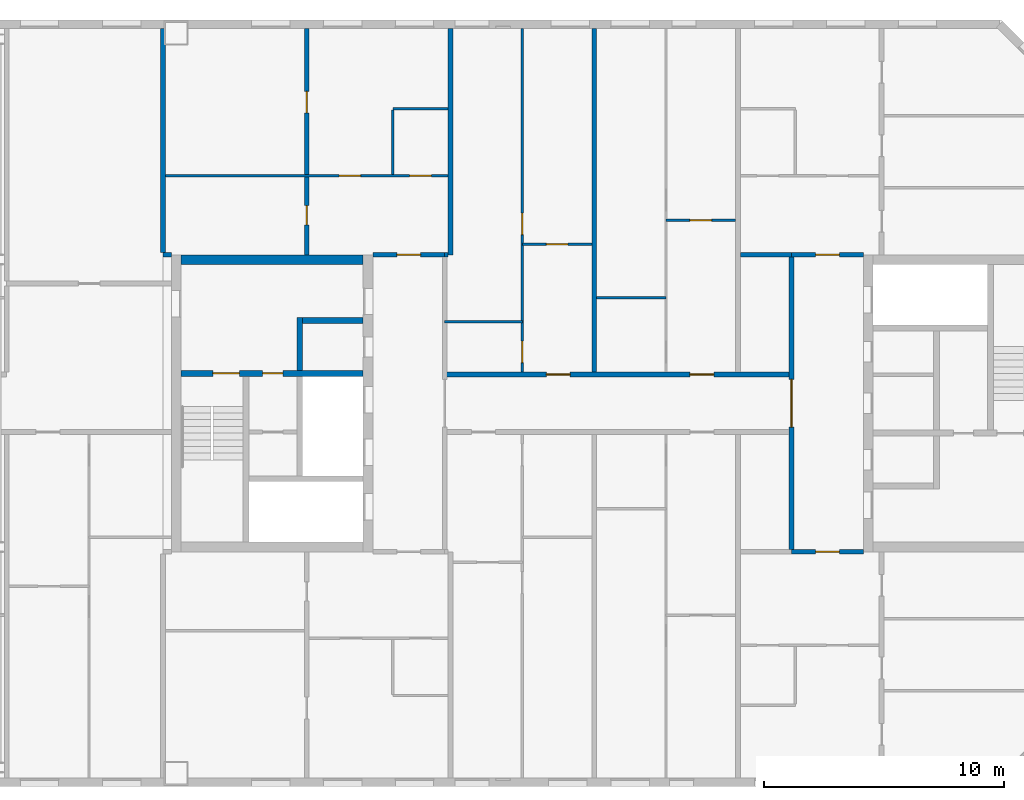
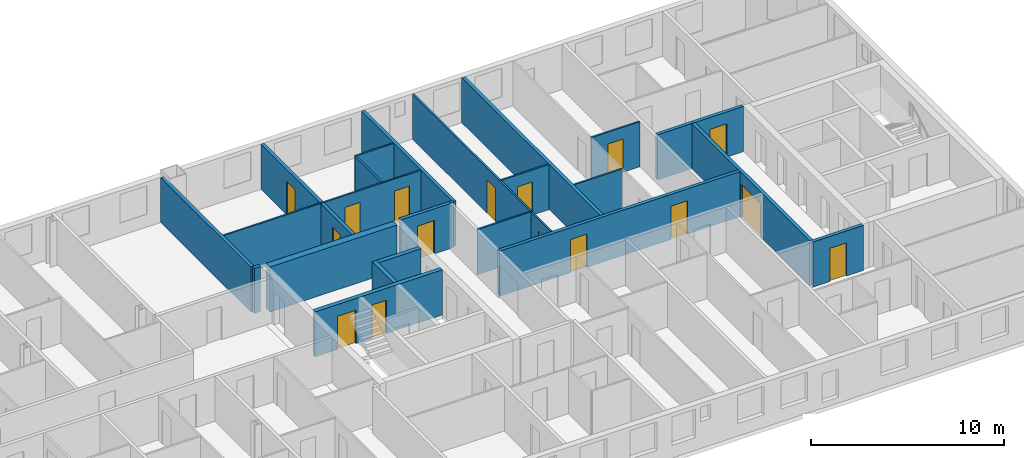
# One storey, part 15 of 19: 24 walls, 16 doors, 16 openings.
"""IFC4 building model written with IfcOpenShell, lengths in metres."""

from ifc_helpers import new_model, si_unit, direction, frame, frame_2d, origin, place, context, subcontext, project, spatial, rectangle, extrude, material, layer, layer_set, type_object, element, fill, save


model = new_model("IFC4")

# Units and contexts
model_context = context("Model", 3, precision=1e-05, world=origin(), true_north=direction((0.0, 1.0)))
body_context = subcontext(model_context, "Body", "Model", "MODEL_VIEW")
ifc_project = project(units=[si_unit("LENGTHUNIT", "METRE"), si_unit("AREAUNIT", "SQUARE_METRE"), si_unit("VOLUMEUNIT", "CUBIC_METRE"), si_unit("PLANEANGLEUNIT", "RADIAN"), si_unit("MASSUNIT", "GRAM", prefix="KILO")], contexts=[model_context])

# Site, building, storey
site_placement = place(None, origin())
site = spatial("IfcSite", under=ifc_project, at=site_placement, CompositionType="ELEMENT")
building_placement = place(site_placement, origin())
building = spatial("IfcBuilding", under=site, at=building_placement, Name="Tuart Gate Housing", CompositionType="ELEMENT")
storey_placement = place(building_placement, frame((0.0, 0.0, 227.60009765625)))
storey = spatial("IfcBuildingStorey", under=building, at=storey_placement, Name="L64", CompositionType="ELEMENT", Elevation=227.60009765625)

# Wall, openings, doors
ifc_material_1 = material(Name="Concrete C40", Category="concrete")
ifc_layer_1 = layer(ifc_material_1, 0.25)
ifc_layer_set_1 = layer_set([ifc_layer_1], Name="Core wall 250 C40")
wall_type_1 = type_object("IfcWallType", Name="Core wall 250 C40", PredefinedType="SHEAR", material=ifc_layer_set_1)
wall_1_placement = place(storey_placement, frame((139.360107421875, 71.25, 0.0), z_axis=(0.0, 0.0, 1.0), x_axis=(-1.0, 0.0, 0.0)))
wall_1 = element("IfcWall", 1, at=wall_1_placement, inside=storey, type_object=wall_type_1, Name="Core wall BG.3", PredefinedType="SHEAR", context=body_context, shape_type="SweptSolid", body=[
    extrude(rectangle(XDim=7.60009765625, YDim=0.25, at=frame_2d((3.800048828125, 0.0))), origin(), (0.0, 0.0, 1.0), 2.849853515625),
])
opening_1_placement = place(wall_1_placement, frame((5.175048828125, 0.0, 0.0)))
opening_1 = element("IfcOpeningElement", 2, at=opening_1_placement, cuts=wall_1, Name="Opening D2409", PredefinedType="OPENING", context=body_context, shape_type="SweptSolid", body=[
    extrude(rectangle(XDim=1.10009765625, YDim=2.10009765625, at=frame_2d((0.550048828125, 1.050048828125))), frame((0.0, 0.135009765625, 0.0), z_axis=(0.0, -1.0, 0.0), x_axis=(1.0, 0.0, 0.0)), (0.0, 0.0, 1.0), 0.27001953125),
])
opening_2_placement = place(wall_1_placement, frame((3.35009765625, 0.0, 0.0)))
opening_2 = element("IfcOpeningElement", 3, at=opening_2_placement, cuts=wall_1, Name="Opening D2408", PredefinedType="OPENING", context=body_context, shape_type="SweptSolid", body=[
    extrude(rectangle(XDim=0.85009765625, YDim=2.10009765625, at=frame_2d((0.425048828125, 1.050048828125))), frame((0.0, 0.135009765625, 0.0), z_axis=(0.0, -1.0, 0.0), x_axis=(1.0, 0.0, 0.0)), (0.0, 0.0, 1.0), 0.27001953125),
])
ifc_material_2 = material(Name="Steel fire door", Category="steel")
door_type_1 = type_object("IfcDoorType", Name="Riser door 850 x 2100", OperationType="SINGLE_SWING_LEFT", PredefinedType="DOOR", material=ifc_material_2)
door_1_placement = place(opening_2_placement, origin())
door_1 = element("IfcDoor", 4, at=door_1_placement, inside=storey, type_object=door_type_1, Name="Service room door BG.W1", OperationType="SINGLE_SWING_LEFT", OverallHeight=2.10009765625, OverallWidth=0.85009765625, PredefinedType="DOOR", context=body_context, shape_type="SweptSolid", body=[
    extrude(rectangle(XDim=0.85009765625, YDim=2.10009765625, at=frame_2d((0.425048828125, 1.050048828125))), frame((0.0, 0.02490234375, 0.0), z_axis=(0.0, -1.0, 0.0), x_axis=(1.0, 0.0, 0.0)), (0.0, 0.0, 1.0), 0.050048828125),
])
fill(opening_2, door_1)
ifc_material_3 = material(Name="Steel fire door", Category="steel")
door_type_2 = type_object("IfcDoorType", Name="Stair door 1100 x 2100", OperationType="SINGLE_SWING_LEFT", PredefinedType="DOOR", material=ifc_material_3)
door_2_placement = place(opening_1_placement, origin())
door_2 = element("IfcDoor", 5, at=door_2_placement, inside=storey, type_object=door_type_2, Name="Stair door BG.SD", OperationType="SINGLE_SWING_LEFT", OverallHeight=2.10009765625, OverallWidth=1.10009765625, PredefinedType="DOOR", context=body_context, shape_type="SweptSolid", body=[
    extrude(rectangle(XDim=1.10009765625, YDim=2.10009765625, at=frame_2d((0.550048828125, 1.050048828125))), frame((0.0, 0.02490234375, 0.0), z_axis=(0.0, -1.0, 0.0), x_axis=(1.0, 0.0, 0.0)), (0.0, 0.0, 1.0), 0.050048828125),
])
fill(opening_1, door_2)

# Walls
wall_2_placement = place(storey_placement, frame((139.360107421875, 73.449951171875, 0.0), z_axis=(0.0, 0.0, 1.0), x_axis=(-1.0, 0.0, 0.0)))
element("IfcWall", 6, at=wall_2_placement, inside=storey, type_object=wall_type_1, Name="Core wall BG.4", PredefinedType="SHEAR", context=body_context, shape_type="SweptSolid", body=[
    extrude(rectangle(XDim=2.525146484375, YDim=0.25, at=frame_2d((1.2626953125, 0.0))), origin(), (0.0, 0.0, 1.0), 2.849853515625),
])
wall_3_placement = place(storey_placement, frame((136.7099609375, 71.375, 0.0), z_axis=(0.0, 0.0, 1.0), x_axis=(0.0, 1.0, 0.0)))
element("IfcWall", 7, at=wall_3_placement, inside=storey, type_object=wall_type_1, Name="Core wall BG.6", PredefinedType="SHEAR", context=body_context, shape_type="SweptSolid", body=[
    extrude(rectangle(XDim=2.199951171875, YDim=0.25, at=frame_2d((1.10009765625, 0.0))), origin(), (0.0, 0.0, 1.0), 2.849853515625),
])
ifc_material_4 = material(Name="Concrete C40", Category="concrete")
ifc_layer_2 = layer(ifc_material_4, 0.39990234375)
ifc_layer_set_2 = layer_set([ifc_layer_2], Name="Core wall 400 C40")
wall_type_2 = type_object("IfcWallType", Name="Core wall 400 C40", PredefinedType="SHEAR", material=ifc_layer_set_2)
wall_4_placement = place(storey_placement, frame((139.360107421875, 76.0, 0.0), z_axis=(0.0, 0.0, 1.0), x_axis=(-1.0, 0.0, 0.0)))
element("IfcWall", 8, at=wall_4_placement, inside=storey, type_object=wall_type_2, Name="Core wall BG north", PredefinedType="SHEAR", context=body_context, shape_type="SweptSolid", body=[
    extrude(rectangle(XDim=7.60009765625, YDim=0.39990234375, at=frame_2d((3.800048828125, 0.0))), origin(), (0.0, 0.0, 1.0), 2.849853515625),
])

# Wall, openings, doors
ifc_material_5 = material(Name="Concrete masonry 15 MPa", Category="masonry")
ifc_layer_3 = layer(ifc_material_5, 0.199951171875)
ifc_layer_set_3 = layer_set([ifc_layer_3], Name="Corridor wall masonry 200")
wall_type_3 = type_object("IfcWallType", Name="Corridor wall masonry 200", PredefinedType="PARTITIONING", material=ifc_layer_set_3)
wall_5_placement = place(storey_placement, frame((142.760009765625, 71.199951171875, 0.0), z_axis=(0.0, 0.0, 1.0), x_axis=(1.0, 0.0, 0.0)))
wall_5 = element("IfcWall", 9, at=wall_5_placement, inside=storey, type_object=wall_type_3, Name="Corridor wall masonry 200", PredefinedType="PARTITIONING", context=body_context, shape_type="SweptSolid", body=[
    extrude(rectangle(XDim=14.47998046875, YDim=0.199951171875, at=frame_2d((7.239990234375, 0.0))), origin(), (0.0, 0.0, 1.0), 2.849853515625),
])
opening_3_placement = place(wall_5_placement, frame((4.239990234375, 0.0, 0.0)))
opening_3 = element("IfcOpeningElement", 10, at=opening_3_placement, cuts=wall_5, Name="Opening D2410", PredefinedType="OPENING", context=body_context, shape_type="SweptSolid", body=[
    extrude(rectangle(XDim=1.0, YDim=2.10009765625, at=frame_2d((0.5, 1.050048828125))), frame((0.0, 0.10986328125, 0.0), z_axis=(0.0, -1.0, 0.0), x_axis=(1.0, 0.0, 0.0)), (0.0, 0.0, 1.0), 0.219970703125),
])
opening_4_placement = place(wall_5_placement, frame((10.239990234375, 0.0, 0.0)))
opening_4 = element("IfcOpeningElement", 11, at=opening_4_placement, cuts=wall_5, Name="Opening D2411", PredefinedType="OPENING", context=body_context, shape_type="SweptSolid", body=[
    extrude(rectangle(XDim=1.0, YDim=2.10009765625, at=frame_2d((0.5, 1.050048828125))), frame((0.0, 0.10986328125, 0.0), z_axis=(0.0, -1.0, 0.0), x_axis=(1.0, 0.0, 0.0)), (0.0, 0.0, 1.0), 0.219970703125),
])
ifc_material_6 = material(Name="Timber door leaf in steel frame", Category="steel")
door_type_3 = type_object("IfcDoorType", Name="Flat entrance door 1000", OperationType="SINGLE_SWING_LEFT", PredefinedType="DOOR", material=ifc_material_6)
door_3_placement = place(opening_3_placement, origin())
door_3 = element("IfcDoor", 12, at=door_3_placement, inside=storey, type_object=door_type_3, Name="Flat entrance door", OperationType="SINGLE_SWING_LEFT", OverallHeight=2.10009765625, OverallWidth=1.0, PredefinedType="DOOR", context=body_context, shape_type="SweptSolid", body=[
    extrude(rectangle(XDim=1.0, YDim=2.10009765625, at=frame_2d((0.5, 1.050048828125))), frame((0.0, 0.02490234375, 0.0), z_axis=(0.0, -1.0, 0.0), x_axis=(1.0, 0.0, 0.0)), (0.0, 0.0, 1.0), 0.050048828125),
])
fill(opening_3, door_3)
door_4_placement = place(opening_4_placement, origin())
door_4 = element("IfcDoor", 13, at=door_4_placement, inside=storey, type_object=door_type_3, Name="Flat entrance door", OperationType="SINGLE_SWING_LEFT", OverallHeight=2.10009765625, OverallWidth=1.0, PredefinedType="DOOR", context=body_context, shape_type="SweptSolid", body=[
    extrude(rectangle(XDim=1.0, YDim=2.10009765625, at=frame_2d((0.5, 1.050048828125))), frame((0.0, 0.02490234375, 0.0), z_axis=(0.0, -1.0, 0.0), x_axis=(1.0, 0.0, 0.0)), (0.0, 0.0, 1.0), 0.050048828125),
])
fill(opening_4, door_4)

# Wall, opening, door
ifc_material_7 = material(Name="Concrete masonry 15 MPa", Category="masonry")
ifc_layer_4 = layer(ifc_material_7, 0.199951171875)
ifc_layer_set_4 = layer_set([ifc_layer_4], Name="Enclosure wall masonry 200")
wall_type_4 = type_object("IfcWallType", Name="Enclosure wall masonry 200", PredefinedType="PARTITIONING", material=ifc_layer_set_4)
wall_6_placement = place(storey_placement, frame((157.239990234375, 63.800048828125, 0.0), z_axis=(0.0, 0.0, 1.0), x_axis=(1.0, 0.0, 0.0)))
wall_6 = element("IfcWall", 14, at=wall_6_placement, inside=storey, type_object=wall_type_4, Name="Enclosure wall masonry 200", PredefinedType="PARTITIONING", context=body_context, shape_type="SweptSolid", body=[
    extrude(rectangle(XDim=3.0, YDim=0.199951171875, at=frame_2d((1.5, 0.0))), origin(), (0.0, 0.0, 1.0), 2.849853515625),
])
opening_5_placement = place(wall_6_placement, frame((1.0, 0.0, 0.0)))
opening_5 = element("IfcOpeningElement", 15, at=opening_5_placement, cuts=wall_6, Name="Opening D2427", PredefinedType="OPENING", context=body_context, shape_type="SweptSolid", body=[
    extrude(rectangle(XDim=1.0, YDim=2.10009765625, at=frame_2d((0.5, 1.050048828125))), frame((0.0, 0.10986328125, 0.0), z_axis=(0.0, -1.0, 0.0), x_axis=(1.0, 0.0, 0.0)), (0.0, 0.0, 1.0), 0.219970703125),
])
door_5_placement = place(opening_5_placement, frame((1.0, 0.0, 0.0), z_axis=(0.0, 0.0, 1.0), x_axis=(-1.0, 0.0, 0.0)))
door_5 = element("IfcDoor", 16, at=door_5_placement, inside=storey, type_object=door_type_3, Name="Flat entrance door", OperationType="SINGLE_SWING_LEFT", OverallHeight=2.10009765625, OverallWidth=1.0, PredefinedType="DOOR", context=body_context, shape_type="SweptSolid", body=[
    extrude(rectangle(XDim=1.0, YDim=2.10009765625, at=frame_2d((0.5, 1.050048828125))), frame((0.0, 0.025146484375, 0.0), z_axis=(0.0, -1.0, 0.0), x_axis=(1.0, 0.0, 0.0)), (0.0, 0.0, 1.0), 0.050048828125),
])
fill(opening_5, door_5)

wall_7_placement = place(storey_placement, frame((139.760009765625, 76.199951171875, 0.0), z_axis=(0.0, 0.0, 1.0), x_axis=(1.0, 0.0, 0.0)))
wall_7 = element("IfcWall", 17, at=wall_7_placement, inside=storey, type_object=wall_type_4, Name="Enclosure wall masonry 200", PredefinedType="PARTITIONING", context=body_context, shape_type="SweptSolid", body=[
    extrude(rectangle(XDim=3.0, YDim=0.199951171875, at=frame_2d((1.5, 0.0))), origin(), (0.0, 0.0, 1.0), 2.849853515625),
])
opening_6_placement = place(wall_7_placement, frame((1.0, 0.0, 0.0)))
opening_6 = element("IfcOpeningElement", 18, at=opening_6_placement, cuts=wall_7, Name="Opening D2406", PredefinedType="OPENING", context=body_context, shape_type="SweptSolid", body=[
    extrude(rectangle(XDim=1.0, YDim=2.10009765625, at=frame_2d((0.5, 1.050048828125))), frame((0.0, 0.10986328125, 0.0), z_axis=(0.0, -1.0, 0.0), x_axis=(1.0, 0.0, 0.0)), (0.0, 0.0, 1.0), 0.219970703125),
])
ifc_material_8 = material(Name="Timber door leaf in steel frame", Category="steel")
door_type_4 = type_object("IfcDoorType", Name="Flat entrance door 1000 RH", OperationType="SINGLE_SWING_RIGHT", PredefinedType="DOOR", material=ifc_material_8)
door_6_placement = place(opening_6_placement, origin())
door_6 = element("IfcDoor", 19, at=door_6_placement, inside=storey, type_object=door_type_4, Name="Flat entrance door", OperationType="SINGLE_SWING_RIGHT", OverallHeight=2.10009765625, OverallWidth=1.0, PredefinedType="DOOR", context=body_context, shape_type="SweptSolid", body=[
    extrude(rectangle(XDim=1.0, YDim=2.10009765625, at=frame_2d((0.5, 1.050048828125))), frame((0.0, 0.02490234375, 0.0), z_axis=(0.0, -1.0, 0.0), x_axis=(1.0, 0.0, 0.0)), (0.0, 0.0, 1.0), 0.050048828125),
])
fill(opening_6, door_6)

wall_8_placement = place(storey_placement, frame((157.239990234375, 76.199951171875, 0.0), z_axis=(0.0, 0.0, 1.0), x_axis=(1.0, 0.0, 0.0)))
wall_8 = element("IfcWall", 20, at=wall_8_placement, inside=storey, type_object=wall_type_4, Name="Enclosure wall masonry 200", PredefinedType="PARTITIONING", context=body_context, shape_type="SweptSolid", body=[
    extrude(rectangle(XDim=3.0, YDim=0.199951171875, at=frame_2d((1.5, 0.0))), origin(), (0.0, 0.0, 1.0), 2.849853515625),
])
opening_7_placement = place(wall_8_placement, frame((1.0, 0.0, 0.0)))
opening_7 = element("IfcOpeningElement", 21, at=opening_7_placement, cuts=wall_8, Name="Opening D2407", PredefinedType="OPENING", context=body_context, shape_type="SweptSolid", body=[
    extrude(rectangle(XDim=1.0, YDim=2.10009765625, at=frame_2d((0.5, 1.050048828125))), frame((0.0, 0.10986328125, 0.0), z_axis=(0.0, -1.0, 0.0), x_axis=(1.0, 0.0, 0.0)), (0.0, 0.0, 1.0), 0.219970703125),
])
door_7_placement = place(opening_7_placement, origin())
door_7 = element("IfcDoor", 22, at=door_7_placement, inside=storey, type_object=door_type_4, Name="Flat entrance door", OperationType="SINGLE_SWING_RIGHT", OverallHeight=2.10009765625, OverallWidth=1.0, PredefinedType="DOOR", context=body_context, shape_type="SweptSolid", body=[
    extrude(rectangle(XDim=1.0, YDim=2.10009765625, at=frame_2d((0.5, 1.050048828125))), frame((0.0, 0.02490234375, 0.0), z_axis=(0.0, -1.0, 0.0), x_axis=(1.0, 0.0, 0.0)), (0.0, 0.0, 1.0), 0.050048828125),
])
fill(opening_7, door_7)

ifc_material_9 = material(Name="Plasterboard partition")
ifc_layer_5 = layer(ifc_material_9, 0.199951171875)
ifc_layer_set_5 = layer_set([ifc_layer_5], Name="Lobby wall 200")
wall_type_5 = type_object("IfcWallType", Name="Lobby wall 200", PredefinedType="PARTITIONING", material=ifc_layer_set_5)
wall_9_placement = place(storey_placement, frame((157.239990234375, 63.89990234375, 0.0), z_axis=(0.0, 0.0, 1.0), x_axis=(0.0, 1.0, 0.0)))
wall_9 = element("IfcWall", 23, at=wall_9_placement, inside=storey, type_object=wall_type_5, Name="Lift lobby wall BK", PredefinedType="PARTITIONING", context=body_context, shape_type="SweptSolid", body=[
    extrude(rectangle(XDim=12.2001953125, YDim=0.199951171875, at=frame_2d((6.10009765625, 0.0))), origin(), (0.0, 0.0, 1.0), 2.849853515625),
])
opening_8_placement = place(wall_9_placement, frame((5.10009765625, 0.0, 0.0)))
opening_8 = element("IfcOpeningElement", 24, at=opening_8_placement, cuts=wall_9, Name="Opening D2416", PredefinedType="OPENING", context=body_context, shape_type="SweptSolid", body=[
    extrude(rectangle(XDim=2.0, YDim=2.10009765625, at=frame_2d((1.0, 1.050048828125))), frame((0.0, 0.10986328125, 0.0), z_axis=(0.0, -1.0, 0.0), x_axis=(1.0, 0.0, 0.0)), (0.0, 0.0, 1.0), 0.219970703125),
])
ifc_material_10 = material(Name="Steel fire door", Category="steel")
door_type_5 = type_object("IfcDoorType", Name="Smoke door 2000 x 2100", OperationType="DOUBLE_DOOR_SINGLE_SWING", PredefinedType="DOOR", material=ifc_material_10)
door_8_placement = place(opening_8_placement, frame((2.0, 0.0, 0.0), z_axis=(0.0, 0.0, 1.0), x_axis=(-1.0, 0.0, 0.0)))
door_8 = element("IfcDoor", 25, at=door_8_placement, inside=storey, type_object=door_type_5, Name="Lift lobby smoke door BK", OperationType="DOUBLE_DOOR_SINGLE_SWING", OverallHeight=2.10009765625, OverallWidth=2.0, PredefinedType="DOOR", context=body_context, shape_type="SweptSolid", body=[
    extrude(rectangle(XDim=2.0, YDim=2.10009765625, at=frame_2d((1.0, 1.050048828125))), frame((0.0, 0.025146484375, 0.0), z_axis=(0.0, -1.0, 0.0), x_axis=(1.0, 0.0, 0.0)), (0.0, 0.0, 1.0), 0.050048828125),
])
fill(opening_8, door_8)

# Walls
ifc_material_11 = material(Name="Gypsum board on steel studs", Category="steel")
ifc_layer_6 = layer(ifc_material_11, 0.10009765625)
ifc_layer_set_6 = layer_set([ifc_layer_6], Name="Partition 100")
wall_type_6 = type_object("IfcWallType", Name="Partition 100", PredefinedType="PARTITIONING", material=ifc_layer_set_6)
wall_10_placement = place(storey_placement, frame((142.760009765625, 73.39990234375, 0.0), z_axis=(0.0, 0.0, 1.0), x_axis=(1.0, 0.0, 0.0)))
element("IfcWall", 26, at=wall_10_placement, inside=storey, type_object=wall_type_6, Name="Partition 100", PredefinedType="PARTITIONING", context=body_context, shape_type="SweptSolid", body=[
    extrude(rectangle(XDim=3.239990234375, YDim=0.10009765625, at=frame_2d((1.6201171875, 0.0))), origin(), (0.0, 0.0, 1.0), 2.849853515625),
])
wall_11_placement = place(storey_placement, frame((149.10009765625, 74.39990234375, 0.0), z_axis=(0.0, 0.0, 1.0), x_axis=(1.0, 0.0, 0.0)))
element("IfcWall", 27, at=wall_11_placement, inside=storey, type_object=wall_type_6, Name="Partition 100", PredefinedType="PARTITIONING", context=body_context, shape_type="SweptSolid", body=[
    extrude(rectangle(XDim=2.89990234375, YDim=0.10009765625, at=frame_2d((1.449951171875, 0.0))), origin(), (0.0, 0.0, 1.0), 2.849853515625),
])

# Wall, opening, door
wall_12_placement = place(storey_placement, frame((146.0, 76.639892578125, 0.0), z_axis=(0.0, 0.0, 1.0), x_axis=(1.0, 0.0, 0.0)))
wall_12 = element("IfcWall", 28, at=wall_12_placement, inside=storey, type_object=wall_type_6, Name="Partition 100", PredefinedType="PARTITIONING", context=body_context, shape_type="SweptSolid", body=[
    extrude(rectangle(XDim=2.89990234375, YDim=0.10009765625, at=frame_2d((1.449951171875, 0.0))), origin(), (0.0, 0.0, 1.0), 2.849853515625),
])
opening_9_placement = place(wall_12_placement, frame((1.0, 0.0, 0.0)))
opening_9 = element("IfcOpeningElement", 29, at=opening_9_placement, cuts=wall_12, Name="Opening D2405", PredefinedType="OPENING", context=body_context, shape_type="SweptSolid", body=[
    extrude(rectangle(XDim=0.89990234375, YDim=2.10009765625, at=frame_2d((0.449951171875, 1.050048828125))), frame((0.0, 0.06005859375, 0.0), z_axis=(0.0, -1.0, 0.0), x_axis=(1.0, 0.0, 0.0)), (0.0, 0.0, 1.0), 0.1201171875),
])
ifc_material_12 = material(Name="Timber door leaf in steel frame", Category="steel")
door_type_6 = type_object("IfcDoorType", Name="Internal door 900 RH", OperationType="SINGLE_SWING_RIGHT", PredefinedType="DOOR", material=ifc_material_12)
door_9_placement = place(opening_9_placement, frame((0.89990234375, 0.0, 0.0), z_axis=(0.0, 0.0, 1.0), x_axis=(-1.0, 0.0, 0.0)))
door_9 = element("IfcDoor", 30, at=door_9_placement, inside=storey, type_object=door_type_6, Name="Internal door", OperationType="SINGLE_SWING_RIGHT", OverallHeight=2.10009765625, OverallWidth=0.89990234375, PredefinedType="DOOR", context=body_context, shape_type="SweptSolid", body=[
    extrude(rectangle(XDim=0.89990234375, YDim=2.10009765625, at=frame_2d((0.449951171875, 1.050048828125))), frame((0.0, 0.025146484375, 0.0), z_axis=(0.0, -1.0, 0.0), x_axis=(1.0, 0.0, 0.0)), (0.0, 0.0, 1.0), 0.050048828125),
])
fill(opening_9, door_9)

wall_13_placement = place(storey_placement, frame((152.0, 77.639892578125, 0.0), z_axis=(0.0, 0.0, 1.0), x_axis=(1.0, 0.0, 0.0)))
wall_13 = element("IfcWall", 31, at=wall_13_placement, inside=storey, type_object=wall_type_6, Name="Partition 100", PredefinedType="PARTITIONING", context=body_context, shape_type="SweptSolid", body=[
    extrude(rectangle(XDim=2.89990234375, YDim=0.10009765625, at=frame_2d((1.449951171875, 0.0))), origin(), (0.0, 0.0, 1.0), 2.849853515625),
])
opening_10_placement = place(wall_13_placement, frame((1.0, 0.0, 0.0)))
opening_10 = element("IfcOpeningElement", 32, at=opening_10_placement, cuts=wall_13, Name="Opening D2404", PredefinedType="OPENING", context=body_context, shape_type="SweptSolid", body=[
    extrude(rectangle(XDim=0.89990234375, YDim=2.10009765625, at=frame_2d((0.449951171875, 1.050048828125))), frame((0.0, 0.06005859375, 0.0), z_axis=(0.0, -1.0, 0.0), x_axis=(1.0, 0.0, 0.0)), (0.0, 0.0, 1.0), 0.1201171875),
])
door_10_placement = place(opening_10_placement, frame((0.89990234375, 0.0, 0.0), z_axis=(0.0, 0.0, 1.0), x_axis=(-1.0, 0.0, 0.0)))
door_10 = element("IfcDoor", 33, at=door_10_placement, inside=storey, type_object=door_type_6, Name="Internal door", OperationType="SINGLE_SWING_RIGHT", OverallHeight=2.10009765625, OverallWidth=0.89990234375, PredefinedType="DOOR", context=body_context, shape_type="SweptSolid", body=[
    extrude(rectangle(XDim=0.89990234375, YDim=2.10009765625, at=frame_2d((0.449951171875, 1.050048828125))), frame((0.0, 0.025146484375, 0.0), z_axis=(0.0, -1.0, 0.0), x_axis=(1.0, 0.0, 0.0)), (0.0, 0.0, 1.0), 0.050048828125),
])
fill(opening_10, door_10)

# Wall, openings, doors
wall_14_placement = place(storey_placement, frame((131.10009765625, 79.5, 0.0), z_axis=(0.0, 0.0, 1.0), x_axis=(1.0, 0.0, 0.0)))
wall_14 = element("IfcWall", 34, at=wall_14_placement, inside=storey, type_object=wall_type_6, Name="Partition 100", PredefinedType="PARTITIONING", context=body_context, shape_type="SweptSolid", body=[
    extrude(rectangle(XDim=11.7998046875, YDim=0.10009765625, at=frame_2d((5.89990234375, 0.0))), origin(), (0.0, 0.0, 1.0), 2.849853515625),
])
opening_11_placement = place(wall_14_placement, frame((7.25, 0.0, 0.0)))
opening_11 = element("IfcOpeningElement", 35, at=opening_11_placement, cuts=wall_14, Name="Opening D2397", PredefinedType="OPENING", context=body_context, shape_type="SweptSolid", body=[
    extrude(rectangle(XDim=0.89990234375, YDim=2.10009765625, at=frame_2d((0.449951171875, 1.050048828125))), frame((0.0, 0.06005859375, 0.0), z_axis=(0.0, -1.0, 0.0), x_axis=(1.0, 0.0, 0.0)), (0.0, 0.0, 1.0), 0.1201171875),
])
opening_12_placement = place(wall_14_placement, frame((10.199951171875, 0.0, 0.0)))
opening_12 = element("IfcOpeningElement", 36, at=opening_12_placement, cuts=wall_14, Name="Opening D2396", PredefinedType="OPENING", context=body_context, shape_type="SweptSolid", body=[
    extrude(rectangle(XDim=0.89990234375, YDim=2.10009765625, at=frame_2d((0.449951171875, 1.050048828125))), frame((0.0, 0.06005859375, 0.0), z_axis=(0.0, -1.0, 0.0), x_axis=(1.0, 0.0, 0.0)), (0.0, 0.0, 1.0), 0.1201171875),
])
ifc_material_13 = material(Name="Timber door leaf in steel frame", Category="steel")
door_type_7 = type_object("IfcDoorType", Name="Bathroom door 900", OperationType="SINGLE_SWING_LEFT", PredefinedType="DOOR", material=ifc_material_13)
door_11_placement = place(opening_12_placement, origin())
door_11 = element("IfcDoor", 37, at=door_11_placement, inside=storey, type_object=door_type_7, Name="Bathroom door", OperationType="SINGLE_SWING_LEFT", OverallHeight=2.10009765625, OverallWidth=0.89990234375, PredefinedType="DOOR", context=body_context, shape_type="SweptSolid", body=[
    extrude(rectangle(XDim=0.89990234375, YDim=2.10009765625, at=frame_2d((0.449951171875, 1.050048828125))), frame((0.0, 0.02490234375, 0.0), z_axis=(0.0, -1.0, 0.0), x_axis=(1.0, 0.0, 0.0)), (0.0, 0.0, 1.0), 0.050048828125),
])
fill(opening_12, door_11)
door_12_placement = place(opening_11_placement, frame((0.89990234375, 0.0, 0.0), z_axis=(0.0, 0.0, 1.0), x_axis=(-1.0, 0.0, 0.0)))
door_12 = element("IfcDoor", 38, at=door_12_placement, inside=storey, type_object=door_type_6, Name="Internal door", OperationType="SINGLE_SWING_RIGHT", OverallHeight=2.10009765625, OverallWidth=0.89990234375, PredefinedType="DOOR", context=body_context, shape_type="SweptSolid", body=[
    extrude(rectangle(XDim=0.89990234375, YDim=2.10009765625, at=frame_2d((0.449951171875, 1.050048828125))), frame((0.0, 0.025146484375, 0.0), z_axis=(0.0, -1.0, 0.0), x_axis=(1.0, 0.0, 0.0)), (0.0, 0.0, 1.0), 0.050048828125),
])
fill(opening_11, door_12)

# Walls
wall_15_placement = place(storey_placement, frame((140.60009765625, 82.300048828125, 0.0), z_axis=(0.0, 0.0, 1.0), x_axis=(1.0, 0.0, 0.0)))
element("IfcWall", 39, at=wall_15_placement, inside=storey, type_object=wall_type_6, Name="Partition 100", PredefinedType="PARTITIONING", context=body_context, shape_type="SweptSolid", body=[
    extrude(rectangle(XDim=2.2998046875, YDim=0.10009765625, at=frame_2d((1.14990234375, 0.0))), origin(), (0.0, 0.0, 1.0), 2.849853515625),
])
wall_16_placement = place(storey_placement, frame((140.60009765625, 79.550048828125, 0.0), z_axis=(0.0, 0.0, 1.0), x_axis=(0.0, 1.0, 0.0)))
element("IfcWall", 40, at=wall_16_placement, inside=storey, type_object=wall_type_6, Name="Partition 100", PredefinedType="PARTITIONING", context=body_context, shape_type="SweptSolid", body=[
    extrude(rectangle(XDim=2.699951171875, YDim=0.10009765625, at=frame_2d((1.35009765625, 0.0))), origin(), (0.0, 0.0, 1.0), 2.849853515625),
])

# Wall, openings, doors
wall_17_placement = place(storey_placement, frame((146.0, 71.300048828125, 0.0), z_axis=(0.0, 0.0, 1.0), x_axis=(0.0, 1.0, 0.0)))
wall_17 = element("IfcWall", 41, at=wall_17_placement, inside=storey, type_object=wall_type_6, Name="Partition 100", PredefinedType="PARTITIONING", context=body_context, shape_type="SweptSolid", body=[
    extrude(rectangle(XDim=14.33984375, YDim=0.10009765625, at=frame_2d((7.169921875, 0.0))), origin(), (0.0, 0.0, 1.0), 2.849853515625),
])
opening_13_placement = place(wall_17_placement, frame((5.739990234375, 0.0, 0.0)))
opening_13 = element("IfcOpeningElement", 42, at=opening_13_placement, cuts=wall_17, Name="Opening D2401", PredefinedType="OPENING", context=body_context, shape_type="SweptSolid", body=[
    extrude(rectangle(XDim=0.89990234375, YDim=2.10009765625, at=frame_2d((0.449951171875, 1.050048828125))), frame((0.0, 0.06005859375, 0.0), z_axis=(0.0, -1.0, 0.0), x_axis=(1.0, 0.0, 0.0)), (0.0, 0.0, 1.0), 0.1201171875),
])
opening_14_placement = place(wall_17_placement, frame((0.39990234375, 0.0, 0.0)))
opening_14 = element("IfcOpeningElement", 43, at=opening_14_placement, cuts=wall_17, Name="Opening D2400", PredefinedType="OPENING", context=body_context, shape_type="SweptSolid", body=[
    extrude(rectangle(XDim=0.89990234375, YDim=2.10009765625, at=frame_2d((0.449951171875, 1.050048828125))), frame((0.0, 0.06005859375, 0.0), z_axis=(0.0, -1.0, 0.0), x_axis=(1.0, 0.0, 0.0)), (0.0, 0.0, 1.0), 0.1201171875),
])
door_13_placement = place(opening_14_placement, origin())
door_13 = element("IfcDoor", 44, at=door_13_placement, inside=storey, type_object=door_type_7, Name="Bathroom door", OperationType="SINGLE_SWING_LEFT", OverallHeight=2.10009765625, OverallWidth=0.89990234375, PredefinedType="DOOR", context=body_context, shape_type="SweptSolid", body=[
    extrude(rectangle(XDim=0.89990234375, YDim=2.10009765625, at=frame_2d((0.449951171875, 1.050048828125))), frame((0.0, 0.02490234375, 0.0), z_axis=(0.0, -1.0, 0.0), x_axis=(1.0, 0.0, 0.0)), (0.0, 0.0, 1.0), 0.050048828125),
])
fill(opening_14, door_13)
ifc_material_14 = material(Name="Timber door leaf in steel frame", Category="steel")
door_type_8 = type_object("IfcDoorType", Name="Internal door 900", OperationType="SINGLE_SWING_LEFT", PredefinedType="DOOR", material=ifc_material_14)
door_14_placement = place(opening_13_placement, origin())
door_14 = element("IfcDoor", 45, at=door_14_placement, inside=storey, type_object=door_type_8, Name="Internal door", OperationType="SINGLE_SWING_LEFT", OverallHeight=2.10009765625, OverallWidth=0.89990234375, PredefinedType="DOOR", context=body_context, shape_type="SweptSolid", body=[
    extrude(rectangle(XDim=0.89990234375, YDim=2.10009765625, at=frame_2d((0.449951171875, 1.050048828125))), frame((0.0, 0.02490234375, 0.0), z_axis=(0.0, -1.0, 0.0), x_axis=(1.0, 0.0, 0.0)), (0.0, 0.0, 1.0), 0.050048828125),
])
fill(opening_13, door_14)

ifc_material_15 = material(Name="Concrete C40", Category="concrete")
ifc_layer_7 = layer(ifc_material_15, 0.199951171875)
ifc_layer_set_7 = layer_set([ifc_layer_7], Name="Party wall concrete C40 200")
wall_type_7 = type_object("IfcWallType", Name="Party wall concrete C40 200", PredefinedType="SOLIDWALL", material=ifc_layer_set_7)
wall_18_placement = place(storey_placement, frame((137.0, 76.199951171875, 0.0), z_axis=(0.0, 0.0, 1.0), x_axis=(0.0, 1.0, 0.0)))
wall_18 = element("IfcWall", 46, at=wall_18_placement, inside=storey, type_object=wall_type_7, Name="Party wall concrete C40 200", PredefinedType="SOLIDWALL", context=body_context, shape_type="SweptSolid", body=[
    extrude(rectangle(XDim=9.43994140625, YDim=0.199951171875, at=frame_2d((4.719970703125, 0.0))), origin(), (0.0, 0.0, 1.0), 2.849853515625),
])
opening_15_placement = place(wall_18_placement, frame((5.919921875, 0.0, 0.0)))
opening_15 = element("IfcOpeningElement", 47, at=opening_15_placement, cuts=wall_18, Name="Opening D2391", PredefinedType="OPENING", context=body_context, shape_type="SweptSolid", body=[
    extrude(rectangle(XDim=0.89990234375, YDim=2.10009765625, at=frame_2d((0.449951171875, 1.050048828125))), frame((0.0, 0.10986328125, 0.0), z_axis=(0.0, -1.0, 0.0), x_axis=(1.0, 0.0, 0.0)), (0.0, 0.0, 1.0), 0.219970703125),
])
opening_16_placement = place(wall_18_placement, frame((1.25, 0.0, 0.0)))
opening_16 = element("IfcOpeningElement", 48, at=opening_16_placement, cuts=wall_18, Name="Opening D2392", PredefinedType="OPENING", context=body_context, shape_type="SweptSolid", body=[
    extrude(rectangle(XDim=0.800048828125, YDim=2.10009765625, at=frame_2d((0.39990234375, 1.050048828125))), frame((0.0, 0.10986328125, 0.0), z_axis=(0.0, -1.0, 0.0), x_axis=(1.0, 0.0, 0.0)), (0.0, 0.0, 1.0), 0.219970703125),
])
door_15_placement = place(opening_15_placement, origin())
door_15 = element("IfcDoor", 49, at=door_15_placement, inside=storey, type_object=door_type_8, Name="Internal door", OperationType="SINGLE_SWING_LEFT", OverallHeight=2.10009765625, OverallWidth=0.89990234375, PredefinedType="DOOR", context=body_context, shape_type="SweptSolid", body=[
    extrude(rectangle(XDim=0.89990234375, YDim=2.10009765625, at=frame_2d((0.449951171875, 1.050048828125))), frame((0.0, 0.02490234375, 0.0), z_axis=(0.0, -1.0, 0.0), x_axis=(1.0, 0.0, 0.0)), (0.0, 0.0, 1.0), 0.050048828125),
])
fill(opening_15, door_15)
ifc_material_16 = material(Name="Timber door leaf in steel frame", Category="steel")
door_type_9 = type_object("IfcDoorType", Name="Store door 800", OperationType="SINGLE_SWING_LEFT", PredefinedType="DOOR", material=ifc_material_16)
door_16_placement = place(opening_16_placement, origin())
door_16 = element("IfcDoor", 50, at=door_16_placement, inside=storey, type_object=door_type_9, Name="Store door", OperationType="SINGLE_SWING_LEFT", OverallHeight=2.10009765625, OverallWidth=0.800048828125, PredefinedType="DOOR", context=body_context, shape_type="SweptSolid", body=[
    extrude(rectangle(XDim=0.800048828125, YDim=2.10009765625, at=frame_2d((0.39990234375, 1.050048828125))), frame((0.0, 0.02490234375, 0.0), z_axis=(0.0, -1.0, 0.0), x_axis=(1.0, 0.0, 0.0)), (0.0, 0.0, 1.0), 0.050048828125),
])
fill(opening_16, door_16)

# Walls
wall_19_placement = place(storey_placement, frame((143.0, 76.199951171875, 0.0), z_axis=(0.0, 0.0, 1.0), x_axis=(0.0, 1.0, 0.0)))
element("IfcWall", 51, at=wall_19_placement, inside=storey, type_object=wall_type_7, Name="Party wall concrete C40 200", PredefinedType="SOLIDWALL", context=body_context, shape_type="SweptSolid", body=[
    extrude(rectangle(XDim=9.43994140625, YDim=0.199951171875, at=frame_2d((4.719970703125, 0.0))), origin(), (0.0, 0.0, 1.0), 2.849853515625),
])
wall_20_placement = place(storey_placement, frame((149.0, 71.199951171875, 0.0), z_axis=(0.0, 0.0, 1.0), x_axis=(0.0, 1.0, 0.0)))
element("IfcWall", 52, at=wall_20_placement, inside=storey, type_object=wall_type_7, Name="Party wall concrete C40 200", PredefinedType="SOLIDWALL", context=body_context, shape_type="SweptSolid", body=[
    extrude(rectangle(XDim=14.43994140625, YDim=0.199951171875, at=frame_2d((7.219970703125, 0.0))), origin(), (0.0, 0.0, 1.0), 2.849853515625),
])
ifc_material_17 = material(Name="Concrete masonry 15 MPa", Category="masonry")
ifc_layer_8 = layer(ifc_material_17, 0.199951171875)
ifc_layer_set_8 = layer_set([ifc_layer_8], Name="Party wall masonry 200")
wall_type_8 = type_object("IfcWallType", Name="Party wall masonry 200", PredefinedType="PARTITIONING", material=ifc_layer_set_8)
wall_21_placement = place(storey_placement, frame((131.0, 76.199951171875, 0.0), z_axis=(0.0, 0.0, 1.0), x_axis=(1.0, 0.0, 0.0)))
element("IfcWall", 53, at=wall_21_placement, inside=storey, type_object=wall_type_8, Name="Party wall masonry 200", PredefinedType="PARTITIONING", context=body_context, shape_type="SweptSolid", body=[
    extrude(rectangle(XDim=0.360107421875, YDim=0.199951171875, at=frame_2d((0.18017578125, 0.0))), origin(), (0.0, 0.0, 1.0), 2.849853515625),
])
wall_22_placement = place(storey_placement, frame((142.760009765625, 76.199951171875, 0.0), z_axis=(0.0, 0.0, 1.0), x_axis=(1.0, 0.0, 0.0)))
element("IfcWall", 54, at=wall_22_placement, inside=storey, type_object=wall_type_8, Name="Party wall masonry 200", PredefinedType="PARTITIONING", context=body_context, shape_type="SweptSolid", body=[
    extrude(rectangle(XDim=0.139892578125, YDim=0.199951171875, at=frame_2d((0.06982421875, 0.0))), origin(), (0.0, 0.0, 1.0), 2.849853515625),
])
wall_23_placement = place(storey_placement, frame((155.10009765625, 76.199951171875, 0.0), z_axis=(0.0, 0.0, 1.0), x_axis=(1.0, 0.0, 0.0)))
element("IfcWall", 55, at=wall_23_placement, inside=storey, type_object=wall_type_8, Name="Party wall masonry 200", PredefinedType="PARTITIONING", context=body_context, shape_type="SweptSolid", body=[
    extrude(rectangle(XDim=2.139892578125, YDim=0.199951171875, at=frame_2d((1.06982421875, 0.0))), origin(), (0.0, 0.0, 1.0), 2.849853515625),
])
wall_24_placement = place(storey_placement, frame((131.0, 76.300048828125, 0.0), z_axis=(0.0, 0.0, 1.0), x_axis=(0.0, 1.0, 0.0)))
element("IfcWall", 56, at=wall_24_placement, inside=storey, type_object=wall_type_8, Name="Party wall masonry 200", PredefinedType="PARTITIONING", context=body_context, shape_type="SweptSolid", body=[
    extrude(rectangle(XDim=9.33984375, YDim=0.199951171875, at=frame_2d((4.669921875, 0.0))), origin(), (0.0, 0.0, 1.0), 2.849853515625),
])

save(model, "model.ifc")
